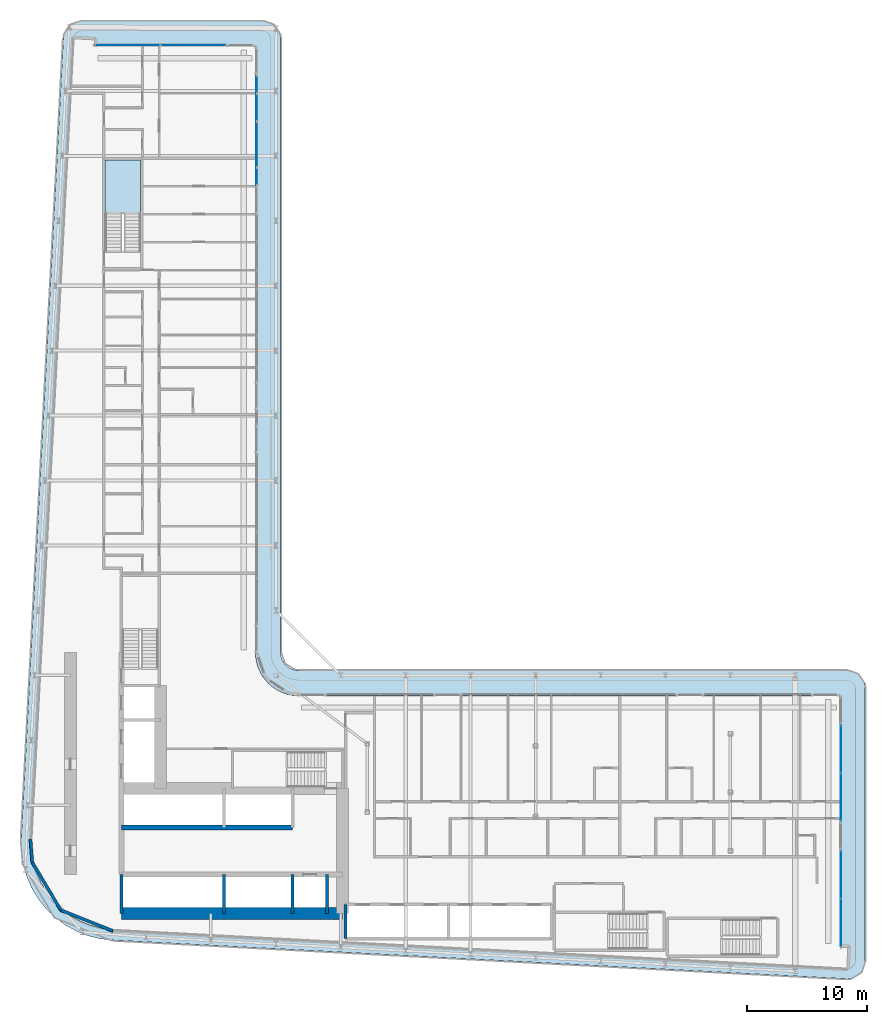
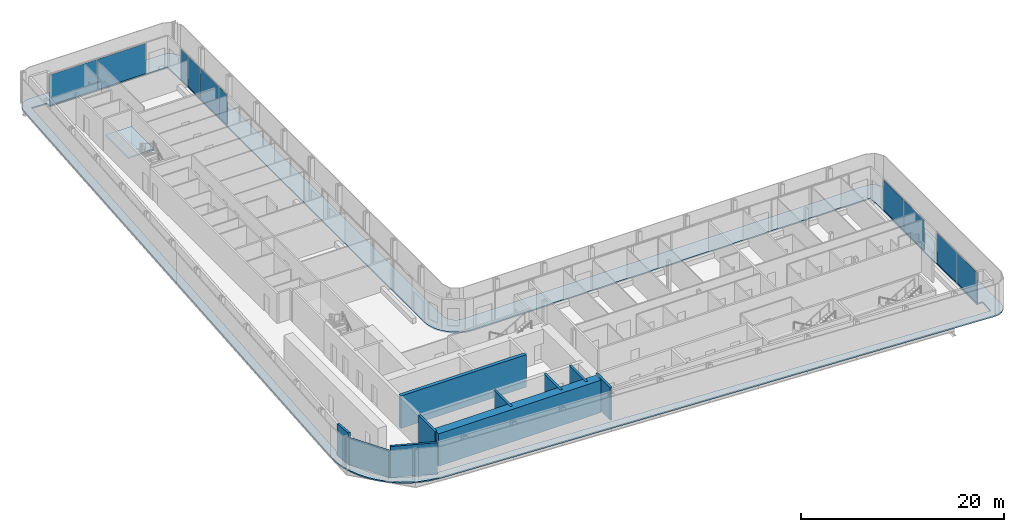
# One storey, part 12 of 27: 10 plates, 10 walls, 2 slabs, 6 elements without a shape of their own.
"""IFC4 building model written with IfcOpenShell, lengths in metres."""

from ifc_helpers import new_model, si_unit, direction, frame, frame_2d, origin, origin_2d, place, context, subcontext, project, spatial, polyline, rectangle, outline, extrude, material, layer, layer_set, type_object, element, aggregate, save


model = new_model("IFC4")

# Units and contexts
model_context = context("Model", 3, precision=1e-05, world=origin(), true_north=direction((0.0, 1.0)))
body_context = subcontext(model_context, "Body", "Model", "MODEL_VIEW")
ifc_project = project(units=[si_unit("LENGTHUNIT", "METRE"), si_unit("AREAUNIT", "SQUARE_METRE"), si_unit("VOLUMEUNIT", "CUBIC_METRE"), si_unit("PLANEANGLEUNIT", "RADIAN"), si_unit("MASSUNIT", "GRAM", prefix="KILO")], contexts=[model_context])

# Site, building, storey
site_placement = place(None, origin())
site = spatial("IfcSite", under=ifc_project, at=site_placement, CompositionType="ELEMENT")
building_placement = place(site_placement, origin())
building = spatial("IfcBuilding", under=site, at=building_placement, Name="Kheshtan School and Residences Tower", CompositionType="ELEMENT")
storey_placement = place(building_placement, frame((0.0, 0.0, 46.10009765625)))
storey = spatial("IfcBuildingStorey", under=building, at=storey_placement, Name="L10", CompositionType="ELEMENT", Elevation=46.10009765625)

# Curtain wall, plates
ifc_material_1 = material(Name="Clear low-e glass in thermally broken aluminium frame", Category="aluminium")
ifc_layer_1 = layer(ifc_material_1, 0.199951171875)
ifc_layer_set_1 = layer_set([ifc_layer_1], Name="Curtain wall CW-L")
curtain_wall_type = type_object("IfcCurtainWallType", Name="Curtain wall CW-L", PredefinedType="NOTDEFINED", material=ifc_layer_set_1)
curtain_wall_1_placement = place(storey_placement, origin())
curtain_wall_1 = element("IfcCurtainWall", 1, at=curtain_wall_1_placement, inside=storey, type_object=curtain_wall_type, Name="Curtain wall CWL7", PredefinedType="NOTDEFINED")
ifc_layer_2 = layer(ifc_material_1, 0.031982421875)
ifc_layer_set_2 = layer_set([ifc_layer_2], Name="CW-L glass panel")
plate_type = type_object("IfcPlateType", Name="CW-L glass panel", PredefinedType="CURTAIN_PANEL", material=ifc_layer_set_2)
plate_1_placement = place(storey_placement, frame((35.259033203125, 98.0, 0.0), z_axis=(0.0, 0.0, 1.0), x_axis=(1.0, 0.0, 0.0)))
plate_1 = element("IfcPlate", 2, at=plate_1_placement, type_object=plate_type, Name="CWL7 panel 1.1", PredefinedType="CURTAIN_PANEL", context=body_context, shape_type="SweptSolid", body=[
    extrude(rectangle(XDim=5.4140625, YDim=0.031982421875, at=origin_2d()), origin(), (0.0, 0.0, 1.0), 3.6298828125),
])
plate_2_placement = place(storey_placement, frame((40.73291015625, 98.0, 0.0), z_axis=(0.0, 0.0, 1.0), x_axis=(1.0, 0.0, 0.0)))
plate_2 = element("IfcPlate", 3, at=plate_2_placement, type_object=plate_type, Name="CWL7 panel 2.1", PredefinedType="CURTAIN_PANEL", context=body_context, shape_type="SweptSolid", body=[
    extrude(rectangle(XDim=5.4140625, YDim=0.031982421875, at=origin_2d()), origin(), (0.0, 0.0, 1.0), 3.6298828125),
])
aggregate(curtain_wall_1, [plate_1, plate_2])

curtain_wall_2_placement = place(storey_placement, origin())
curtain_wall_2 = element("IfcCurtainWall", 4, at=curtain_wall_2_placement, inside=storey, type_object=curtain_wall_type, Name="Curtain wall CWL8c", PredefinedType="NOTDEFINED")
plate_3_placement = place(storey_placement, frame((46.0, 94.735107421875, 0.0), z_axis=(0.0, 0.0, 1.0), x_axis=(0.0, -1.0, 0.0)))
plate_3 = element("IfcPlate", 5, at=plate_3_placement, type_object=plate_type, Name="CWL8c panel 1.1", PredefinedType="CURTAIN_PANEL", context=body_context, shape_type="SweptSolid", body=[
    extrude(rectangle(XDim=1.409912109375, YDim=0.031982421875, at=origin_2d()), origin(), (0.0, 0.0, 1.0), 3.6298828125),
])
plate_4_placement = place(storey_placement, frame((46.0, 92.826416015625, 0.0), z_axis=(0.0, 0.0, 1.0), x_axis=(0.0, -1.0, 0.0)))
plate_4 = element("IfcPlate", 6, at=plate_4_placement, type_object=plate_type, Name="CWL8c panel 2.1", PredefinedType="CURTAIN_PANEL", context=body_context, shape_type="SweptSolid", body=[
    extrude(rectangle(XDim=2.287109375, YDim=0.031982421875, at=origin_2d()), origin(), (0.0, 0.0, 1.0), 3.6298828125),
])
plate_5_placement = place(storey_placement, frame((46.0, 89.744384765625, 0.0), z_axis=(0.0, 0.0, 1.0), x_axis=(0.0, -1.0, 0.0)))
plate_5 = element("IfcPlate", 7, at=plate_5_placement, type_object=plate_type, Name="CWL8c panel 3.1", PredefinedType="CURTAIN_PANEL", context=body_context, shape_type="SweptSolid", body=[
    extrude(rectangle(XDim=3.757080078125, YDim=0.031982421875, at=origin_2d()), origin(), (0.0, 0.0, 1.0), 3.6298828125),
])
aggregate(curtain_wall_2, [plate_3, plate_4, plate_5])

# Curtain wall, plate
curtain_wall_3_placement = place(storey_placement, origin())
curtain_wall_3 = element("IfcCurtainWall", 8, at=curtain_wall_3_placement, inside=storey, type_object=curtain_wall_type, Name="Curtain wall CWL8a", PredefinedType="NOTDEFINED")
plate_6_placement = place(storey_placement, frame((46.0, 87.0859375, 0.0), z_axis=(0.0, 0.0, 1.0), x_axis=(0.0, -1.0, 0.0)))
plate_6 = element("IfcPlate", 9, at=plate_6_placement, type_object=plate_type, Name="CWL8a panel 1.1", PredefinedType="CURTAIN_PANEL", context=body_context, shape_type="SweptSolid", body=[
    extrude(rectangle(XDim=1.43994140625, YDim=0.031982421875, at=origin_2d()), origin(), (0.0, 0.0, 1.0), 3.6298828125),
])
aggregate(curtain_wall_3, [plate_6])

# Curtain wall, plates
curtain_wall_4_placement = place(storey_placement, origin())
curtain_wall_4 = element("IfcCurtainWall", 10, at=curtain_wall_4_placement, inside=storey, type_object=curtain_wall_type, Name="Curtain wall CWL13a", PredefinedType="NOTDEFINED")
plate_7_placement = place(storey_placement, frame((94.60009765625, 39.47216796875, 0.0), z_axis=(0.0, 0.0, 1.0), x_axis=(0.0, -1.0, 0.0)))
plate_7 = element("IfcPlate", 11, at=plate_7_placement, type_object=plate_type, Name="CWL13a panel 1.1", PredefinedType="CURTAIN_PANEL", context=body_context, shape_type="SweptSolid", body=[
    extrude(rectangle(XDim=3.935546875, YDim=0.031982421875, at=origin_2d()), origin(), (0.0, 0.0, 1.0), 3.6298828125),
])
plate_8_placement = place(storey_placement, frame((94.60009765625, 35.476806640625, 0.0), z_axis=(0.0, 0.0, 1.0), x_axis=(0.0, -1.0, 0.0)))
plate_8 = element("IfcPlate", 12, at=plate_8_placement, type_object=plate_type, Name="CWL13a panel 2.1", PredefinedType="CURTAIN_PANEL", context=body_context, shape_type="SweptSolid", body=[
    extrude(rectangle(XDim=3.935546875, YDim=0.031982421875, at=origin_2d()), origin(), (0.0, 0.0, 1.0), 3.6298828125),
])
aggregate(curtain_wall_4, [plate_7, plate_8])

curtain_wall_5_placement = place(storey_placement, origin())
curtain_wall_5 = element("IfcCurtainWall", 13, at=curtain_wall_5_placement, inside=storey, type_object=curtain_wall_type, Name="Curtain wall CWL13a", PredefinedType="NOTDEFINED")
plate_9_placement = place(storey_placement, frame((94.60009765625, 29.021240234375, 0.0), z_axis=(0.0, 0.0, 1.0), x_axis=(0.0, -1.0, 0.0)))
plate_9 = element("IfcPlate", 14, at=plate_9_placement, type_object=plate_type, Name="CWL13a panel 1.1", PredefinedType="CURTAIN_PANEL", context=body_context, shape_type="SweptSolid", body=[
    extrude(rectangle(XDim=3.935546875, YDim=0.031982421875, at=origin_2d()), origin(), (0.0, 0.0, 1.0), 3.6298828125),
])
plate_10_placement = place(storey_placement, frame((94.60009765625, 25.025634765625, 0.0), z_axis=(0.0, 0.0, 1.0), x_axis=(0.0, -1.0, 0.0)))
plate_10 = element("IfcPlate", 15, at=plate_10_placement, type_object=plate_type, Name="CWL13a panel 2.1", PredefinedType="CURTAIN_PANEL", context=body_context, shape_type="SweptSolid", body=[
    extrude(rectangle(XDim=3.935546875, YDim=0.031982421875, at=origin_2d()), origin(), (0.0, 0.0, 1.0), 3.6298828125),
])
aggregate(curtain_wall_5, [plate_9, plate_10])

# Slab
ifc_material_2 = material(Name="Concrete C40/50", Category="concrete")
ifc_layer_3 = layer(ifc_material_2, 0.14990234375)
ifc_layer_set_3 = layer_set([ifc_layer_3], Name="Loggia balcony slab 150 Concrete C40/50")
slab_type_1 = type_object("IfcSlabType", Name="Loggia balcony slab 150 Concrete C40/50", PredefinedType="FLOOR", material=ifc_layer_set_3)
slab_1_placement = place(storey_placement, frame((0.0, 0.0, -0.150146484375)))
element("IfcSlab", 16, at=slab_1_placement, inside=storey, type_object=slab_type_1, Name="Loggia balcony slab L10", PredefinedType="FLOOR", context=body_context, shape_type="SweptSolid", body=[
    extrude(outline(polyline([(28.4580078125, 26.222900390625), (28.45703125, 26.222900390625), (28.45703125, 26.22412109375), (28.4560546875, 26.22412109375), (27.81494140625, 27.0390625), (27.281005859375, 27.93798828125), (26.867919921875, 28.89990234375), (26.583984375, 29.89990234375), (26.583984375, 29.906982421875), (26.43408203125, 30.943115234375), (26.419921875, 31.989013671875), (29.925048828125, 98.5791015625), (29.930908203125, 98.626953125), (29.930908203125, 98.6279296875), (29.929931640625, 98.6279296875), (29.929931640625, 98.62890625), (29.928955078125, 98.62890625), (29.928955078125, 98.6298828125), (29.927978515625, 98.6298828125), (29.927978515625, 98.631103515625), (29.927001953125, 98.631103515625), (29.927001953125, 98.632080078125), (29.927001953125, 98.633056640625), (29.945068359375, 98.781005859375), (29.945068359375, 98.783935546875), (29.945068359375, 98.784912109375), (29.946044921875, 98.784912109375), (29.946044921875, 98.785888671875), (29.947021484375, 98.785888671875), (29.947021484375, 98.787109375), (29.947998046875, 98.787109375), (29.948974609375, 98.787109375), (29.948974609375, 98.7880859375), (29.949951171875, 98.7880859375), (29.949951171875, 98.7890625), (29.949951171875, 98.791015625), (30.0029296875, 98.98388671875), (30.083984375, 99.175048828125), (30.18896484375, 99.35302734375), (30.31103515625, 99.507080078125), (30.31201171875, 99.507080078125), (30.31201171875, 99.508056640625), (30.31298828125, 99.508056640625), (30.31298828125, 99.509033203125), (30.31396484375, 99.509033203125), (30.31396484375, 99.510009765625), (30.31494140625, 99.510009765625), (30.31494140625, 99.510986328125), (30.31591796875, 99.510986328125), (30.31591796875, 99.511962890625), (30.31689453125, 99.511962890625), (30.31689453125, 99.512939453125), (30.318115234375, 99.512939453125), (30.320068359375, 99.512939453125), (30.321044921875, 99.512939453125), (30.321044921875, 99.513916015625), (30.468017578125, 99.656982421875), (30.468994140625, 99.656982421875), (30.468994140625, 99.657958984375), (30.469970703125, 99.657958984375), (30.469970703125, 99.658935546875), (30.470947265625, 99.658935546875), (30.470947265625, 99.659912109375), (30.471923828125, 99.659912109375), (30.471923828125, 99.660888671875), (30.472900390625, 99.660888671875), (30.472900390625, 99.662109375), (30.47412109375, 99.662109375), (30.47412109375, 99.6630859375), (30.47509765625, 99.6630859375), (30.47509765625, 99.6640625), (30.635986328125, 99.777099609375), (30.820068359375, 99.873046875), (31.007080078125, 99.943115234375), (31.013916015625, 99.943115234375), (31.217041015625, 99.986083984375), (31.423095703125, 100.0), (46.5, 100.0), (46.696044921875, 99.987060546875), (46.887939453125, 99.948974609375), (46.89501953125, 99.948974609375), (47.073974609375, 99.885986328125), (47.242919921875, 99.801025390625), (47.243896484375, 99.801025390625), (47.2470703125, 99.801025390625), (47.248046875, 99.801025390625), (47.248046875, 99.802001953125), (47.2490234375, 99.802001953125), (47.2490234375, 99.802978515625), (47.25, 99.802978515625), (47.2529296875, 99.802978515625), (47.25390625, 99.802978515625), (47.25390625, 99.802001953125), (47.2548828125, 99.802001953125), (47.2548828125, 99.801025390625), (47.256103515625, 99.801025390625), (47.256103515625, 99.800048828125), (47.257080078125, 99.800048828125), (47.257080078125, 99.799072265625), (47.258056640625, 99.799072265625), (47.258056640625, 99.798095703125), (47.412109375, 99.696044921875), (47.4130859375, 99.696044921875), (47.4130859375, 99.695068359375), (47.4140625, 99.695068359375), (47.4140625, 99.694091796875), (47.4140625, 99.68994140625), (47.4140625, 99.68896484375), (47.4150390625, 99.68896484375), (47.4150390625, 99.68798828125), (47.416015625, 99.68798828125), (47.416015625, 99.68701171875), (47.4169921875, 99.68701171875), (47.4169921875, 99.68603515625), (47.554931640625, 99.568115234375), (47.554931640625, 99.56689453125), (47.555908203125, 99.56689453125), (47.555908203125, 99.56591796875), (47.556884765625, 99.56591796875), (47.556884765625, 99.56494140625), (47.55810546875, 99.56494140625), (47.55810546875, 99.56396484375), (47.55908203125, 99.56396484375), (47.55908203125, 99.56298828125), (47.56005859375, 99.56298828125), (47.56005859375, 99.56201171875), (47.56103515625, 99.56201171875), (47.56201171875, 99.56103515625), (47.56201171875, 99.56005859375), (47.56298828125, 99.56005859375), (47.56298828125, 99.55908203125), (47.56396484375, 99.55908203125), (47.56396484375, 99.55810546875), (47.56494140625, 99.55810546875), (47.56494140625, 99.556884765625), (47.56591796875, 99.556884765625), (47.56591796875, 99.555908203125), (47.56689453125, 99.555908203125), (47.56689453125, 99.554931640625), (47.568115234375, 99.554931640625), (47.68505859375, 99.41796875), (47.68603515625, 99.41796875), (47.68603515625, 99.4169921875), (47.68701171875, 99.4169921875), (47.68701171875, 99.416015625), (47.68798828125, 99.416015625), (47.68798828125, 99.4150390625), (47.68896484375, 99.4150390625), (47.68896484375, 99.4140625), (47.68994140625, 99.4140625), (47.694091796875, 99.4140625), (47.695068359375, 99.4140625), (47.695068359375, 99.4130859375), (47.696044921875, 99.4130859375), (47.696044921875, 99.412109375), (47.797119140625, 99.259033203125), (47.798095703125, 99.259033203125), (47.798095703125, 99.258056640625), (47.799072265625, 99.258056640625), (47.799072265625, 99.257080078125), (47.800048828125, 99.257080078125), (47.800048828125, 99.256103515625), (47.801025390625, 99.256103515625), (47.801025390625, 99.2548828125), (47.802001953125, 99.2548828125), (47.802001953125, 99.25390625), (47.802978515625, 99.25390625), (47.802978515625, 99.2529296875), (47.802978515625, 99.25), (47.802978515625, 99.2490234375), (47.802001953125, 99.2490234375), (47.802001953125, 99.248046875), (47.801025390625, 99.248046875), (47.801025390625, 99.2470703125), (47.801025390625, 99.243896484375), (47.801025390625, 99.242919921875), (47.885986328125, 99.073974609375), (47.948974609375, 98.89501953125), (47.948974609375, 98.887939453125), (47.987060546875, 98.696044921875), (48.0, 98.5), (48.0, 47.5), (48.012939453125, 47.303955078125), (48.051025390625, 47.113037109375), (48.051025390625, 47.10693359375), (48.051025390625, 47.10595703125), (48.114013671875, 46.926025390625), (48.200927734375, 46.75), (48.31005859375, 46.5869140625), (48.431884765625, 46.444091796875), (48.43310546875, 46.444091796875), (48.43310546875, 46.443115234375), (48.43408203125, 46.443115234375), (48.43408203125, 46.44189453125), (48.43505859375, 46.44189453125), (48.43505859375, 46.44091796875), (48.43603515625, 46.44091796875), (48.43603515625, 46.43994140625), (48.43701171875, 46.43994140625), (48.43701171875, 46.43896484375), (48.43798828125, 46.43896484375), (48.43896484375, 46.43798828125), (48.43896484375, 46.43701171875), (48.43994140625, 46.43701171875), (48.43994140625, 46.43603515625), (48.44091796875, 46.43603515625), (48.44091796875, 46.43505859375), (48.44189453125, 46.43505859375), (48.44189453125, 46.43408203125), (48.443115234375, 46.43408203125), (48.443115234375, 46.43310546875), (48.444091796875, 46.43310546875), (48.444091796875, 46.431884765625), (48.5869140625, 46.31005859375), (48.75, 46.200927734375), (48.926025390625, 46.114013671875), (49.10595703125, 46.051025390625), (49.10693359375, 46.051025390625), (49.113037109375, 46.051025390625), (49.303955078125, 46.012939453125), (49.5, 46.0), (95.10009765625, 46.0), (95.2958984375, 45.987060546875), (95.488037109375, 45.948974609375), (95.4951171875, 45.948974609375), (95.674072265625, 45.885986328125), (95.842041015625, 45.801025390625), (95.843017578125, 45.801025390625), (95.846923828125, 45.801025390625), (95.847900390625, 45.801025390625), (95.847900390625, 45.802001953125), (95.84912109375, 45.802001953125), (95.84912109375, 45.802978515625), (95.85009765625, 45.802978515625), (95.85302734375, 45.802978515625), (95.85400390625, 45.802978515625), (95.85400390625, 45.802001953125), (95.85498046875, 45.802001953125), (95.85498046875, 45.801025390625), (95.85595703125, 45.801025390625), (95.85595703125, 45.800048828125), (95.85693359375, 45.800048828125), (95.85693359375, 45.799072265625), (95.85791015625, 45.799072265625), (95.85791015625, 45.798095703125), (95.85888671875, 45.798095703125), (95.85888671875, 45.797119140625), (95.860107421875, 45.797119140625), (95.860107421875, 45.7958984375), (96.011962890625, 45.696044921875), (96.012939453125, 45.696044921875), (96.012939453125, 45.695068359375), (96.013916015625, 45.695068359375), (96.013916015625, 45.694091796875), (96.013916015625, 45.68994140625), (96.013916015625, 45.68896484375), (96.014892578125, 45.68896484375), (96.014892578125, 45.68798828125), (96.01611328125, 45.68798828125), (96.01611328125, 45.68701171875), (96.01708984375, 45.68701171875), (96.01708984375, 45.68603515625), (96.01806640625, 45.68603515625), (96.01806640625, 45.68505859375), (96.01904296875, 45.68505859375), (96.01904296875, 45.68408203125), (96.155029296875, 45.568115234375), (96.155029296875, 45.56689453125), (96.156005859375, 45.56689453125), (96.156005859375, 45.56591796875), (96.156982421875, 45.56591796875), (96.156982421875, 45.56494140625), (96.157958984375, 45.56494140625), (96.157958984375, 45.56396484375), (96.158935546875, 45.56396484375), (96.158935546875, 45.56298828125), (96.159912109375, 45.56298828125), (96.159912109375, 45.56201171875), (96.160888671875, 45.56201171875), (96.162109375, 45.56103515625), (96.162109375, 45.56005859375), (96.1630859375, 45.56005859375), (96.1630859375, 45.55908203125), (96.1640625, 45.55908203125), (96.1640625, 45.55810546875), (96.1650390625, 45.55810546875), (96.1650390625, 45.556884765625), (96.166015625, 45.556884765625), (96.166015625, 45.555908203125), (96.1669921875, 45.555908203125), (96.1669921875, 45.554931640625), (96.16796875, 45.554931640625), (96.281982421875, 45.4208984375), (96.282958984375, 45.4208984375), (96.282958984375, 45.419921875), (96.283935546875, 45.419921875), (96.283935546875, 45.4189453125), (96.284912109375, 45.4189453125), (96.284912109375, 45.41796875), (96.285888671875, 45.41796875), (96.285888671875, 45.4169921875), (96.287109375, 45.4169921875), (96.287109375, 45.416015625), (96.2880859375, 45.416015625), (96.2880859375, 45.4150390625), (96.2890625, 45.4150390625), (96.2890625, 45.4140625), (96.2900390625, 45.4140625), (96.2939453125, 45.4140625), (96.294921875, 45.4140625), (96.294921875, 45.4130859375), (96.2958984375, 45.4130859375), (96.2958984375, 45.412109375), (96.39404296875, 45.261962890625), (96.39501953125, 45.261962890625), (96.39501953125, 45.260986328125), (96.39599609375, 45.260986328125), (96.39599609375, 45.260009765625), (96.39697265625, 45.260009765625), (96.39697265625, 45.259033203125), (96.39794921875, 45.259033203125), (96.39794921875, 45.258056640625), (96.39892578125, 45.258056640625), (96.39892578125, 45.257080078125), (96.39990234375, 45.257080078125), (96.39990234375, 45.256103515625), (96.40087890625, 45.256103515625), (96.40087890625, 45.2548828125), (96.402099609375, 45.2548828125), (96.402099609375, 45.25390625), (96.403076171875, 45.25390625), (96.403076171875, 45.2529296875), (96.403076171875, 45.25), (96.403076171875, 45.2490234375), (96.402099609375, 45.2490234375), (96.402099609375, 45.248046875), (96.40087890625, 45.248046875), (96.40087890625, 45.2470703125), (96.40087890625, 45.240966796875), (96.40087890625, 45.239990234375), (96.486083984375, 45.073974609375), (96.549072265625, 44.89501953125), (96.549072265625, 44.887939453125), (96.5869140625, 44.696044921875), (96.60009765625, 44.5), (96.60009765625, 21.864990234375), (96.5859375, 21.6630859375), (96.544921875, 21.464111328125), (96.544921875, 21.45703125), (96.47802734375, 21.27294921875), (96.385986328125, 21.093017578125), (96.27099609375, 20.927001953125), (96.27099609375, 20.926025390625), (96.27099609375, 20.925048828125), (96.27099609375, 20.924072265625), (96.27197265625, 20.924072265625), (96.27197265625, 20.923095703125), (96.27197265625, 20.9208984375), (96.27197265625, 20.919921875), (96.27099609375, 20.919921875), (96.27099609375, 20.9189453125), (96.137939453125, 20.77587890625), (96.135009765625, 20.77294921875), (96.134033203125, 20.77294921875), (96.134033203125, 20.77197265625), (96.133056640625, 20.77197265625), (96.131103515625, 20.77197265625), (96.1298828125, 20.77197265625), (96.1298828125, 20.77294921875), (96.12890625, 20.77294921875), (96.1279296875, 20.77294921875), (96.126953125, 20.77294921875), (95.97607421875, 20.64794921875), (95.803955078125, 20.541015625), (95.618896484375, 20.4580078125), (95.430908203125, 20.40087890625), (95.424072265625, 20.40087890625), (95.22412109375, 20.3701171875), (95.02099609375, 20.366943359375), (33.989013671875, 23.580078125), (33.94189453125, 23.5859375), (33.94091796875, 23.5859375), (33.93994140625, 23.5859375), (33.93994140625, 23.5849609375), (33.93896484375, 23.5849609375), (33.93896484375, 23.583984375), (33.93798828125, 23.583984375), (33.93798828125, 23.5830078125), (33.93701171875, 23.5830078125), (33.93701171875, 23.58203125), (33.93603515625, 23.58203125), (33.93505859375, 23.58203125), (32.952880859375, 23.697998046875), (32.949951171875, 23.697998046875), (32.948974609375, 23.697998046875), (32.948974609375, 23.698974609375), (32.947998046875, 23.698974609375), (32.947998046875, 23.699951171875), (32.947021484375, 23.699951171875), (32.947021484375, 23.700927734375), (32.947021484375, 23.702880859375), (32.947021484375, 23.7041015625), (32.946044921875, 23.7041015625), (32.946044921875, 23.705078125), (32.945068359375, 23.705078125), (32.944091796875, 23.705078125), (31.93603515625, 23.9609375), (31.928955078125, 23.9609375), (30.964111328125, 24.34912109375), (30.051025390625, 24.860107421875), (29.218994140625, 25.47900390625), (29.218994140625, 25.47998046875), (29.218017578125, 25.47998046875), (29.218017578125, 25.48095703125), (29.217041015625, 25.48095703125), (29.217041015625, 25.48193359375), (29.216064453125, 25.48193359375), (29.216064453125, 25.48291015625), (29.215087890625, 25.48291015625), (29.215087890625, 25.48388671875), (29.214111328125, 25.48388671875), (29.214111328125, 25.485107421875), (29.212890625, 25.485107421875), (29.212890625, 25.486083984375), (29.2119140625, 25.486083984375), (28.466064453125, 26.217041015625), (28.466064453125, 26.218017578125), (28.465087890625, 26.218017578125), (28.462890625, 26.218017578125), (28.4619140625, 26.218017578125), (28.4619140625, 26.218994140625), (28.4609375, 26.218994140625), (28.4609375, 26.219970703125), (28.4599609375, 26.219970703125), (28.4599609375, 26.220947265625), (28.458984375, 26.220947265625), (28.458984375, 26.221923828125), (28.4580078125, 26.221923828125), (28.4580078125, 26.222900390625)]), holes=[polyline([(29.12890625, 26.824951171875), (29.12890625, 26.823974609375), (29.1298828125, 26.823974609375), (29.1298828125, 26.822998046875), (29.131103515625, 26.822998046875), (29.131103515625, 26.822021484375), (29.132080078125, 26.822021484375), (29.132080078125, 26.821044921875), (29.133056640625, 26.821044921875), (29.133056640625, 26.820068359375), (29.134033203125, 26.820068359375), (29.794921875, 26.173095703125), (29.794921875, 26.172119140625), (29.7958984375, 26.172119140625), (29.798095703125, 26.172119140625), (29.799072265625, 26.172119140625), (29.799072265625, 26.1708984375), (29.800048828125, 26.1708984375), (29.800048828125, 26.169921875), (29.801025390625, 26.169921875), (29.801025390625, 26.1689453125), (29.802001953125, 26.1689453125), (29.802001953125, 26.16796875), (29.802978515625, 26.16796875), (29.802978515625, 26.1669921875), (29.803955078125, 26.1669921875), (29.803955078125, 26.166015625), (30.541015625, 25.616943359375), (31.35205078125, 25.1630859375), (32.208984375, 24.819091796875), (32.2099609375, 24.819091796875), (32.216064453125, 24.819091796875), (33.114990234375, 24.590087890625), (34.06591796875, 24.47705078125), (95.0380859375, 21.26708984375), (95.06494140625, 21.26806640625), (95.06591796875, 21.26806640625), (95.06689453125, 21.26806640625), (95.06689453125, 21.26904296875), (95.068115234375, 21.26904296875), (95.068115234375, 21.27001953125), (95.068115234375, 21.27099609375), (95.157958984375, 22.9599609375), (95.157958984375, 22.9609375), (95.157958984375, 22.9619140625), (95.156982421875, 22.9619140625), (95.156982421875, 22.962890625), (95.156005859375, 22.962890625), (95.155029296875, 22.962890625), (94.5009765625, 22.998046875), (94.5, 22.998046875), (94.5, 22.9990234375), (94.5, 43.89794921875), (94.5, 43.89892578125), (94.4990234375, 43.89892578125), (94.4990234375, 43.89990234375), (94.498046875, 43.89990234375), (49.429931640625, 43.89990234375), (49.030029296875, 43.927001953125), (48.569091796875, 44.01806640625), (48.56201171875, 44.01806640625), (48.1201171875, 44.169921875), (47.697021484375, 44.37890625), (47.30810546875, 44.638916015625), (46.95703125, 44.944091796875), (46.95703125, 44.945068359375), (46.9560546875, 44.945068359375), (46.9560546875, 44.946044921875), (46.955078125, 44.946044921875), (46.955078125, 44.947021484375), (46.9541015625, 44.947021484375), (46.9541015625, 44.947998046875), (46.952880859375, 44.947998046875), (46.952880859375, 44.948974609375), (46.951904296875, 44.948974609375), (46.951904296875, 44.949951171875), (46.951904296875, 44.950927734375), (46.950927734375, 44.950927734375), (46.950927734375, 44.951904296875), (46.949951171875, 44.951904296875), (46.948974609375, 44.951904296875), (46.948974609375, 44.952880859375), (46.947998046875, 44.952880859375), (46.947998046875, 44.9541015625), (46.947021484375, 44.9541015625), (46.947021484375, 44.955078125), (46.946044921875, 44.955078125), (46.946044921875, 44.9560546875), (46.945068359375, 44.9560546875), (46.945068359375, 44.95703125), (46.944091796875, 44.95703125), (46.638916015625, 45.30810546875), (46.37890625, 45.697021484375), (46.169921875, 46.1201171875), (46.01806640625, 46.56201171875), (46.01806640625, 46.569091796875), (45.927001953125, 47.030029296875), (45.89990234375, 47.429931640625), (45.89990234375, 97.89794921875), (45.89990234375, 97.89892578125), (45.89892578125, 97.89892578125), (45.89892578125, 97.89990234375), (45.89794921875, 97.89990234375), (32.492919921875, 97.89990234375), (32.491943359375, 97.89990234375), (32.52099609375, 98.43896484375), (32.52099609375, 98.43994140625), (32.52099609375, 98.44091796875), (32.52001953125, 98.44091796875), (32.52001953125, 98.44189453125), (32.51904296875, 98.44189453125), (32.51806640625, 98.44189453125), (30.8291015625, 98.531982421875), (30.827880859375, 98.531982421875), (30.826904296875, 98.531982421875), (30.826904296875, 98.531005859375), (30.825927734375, 98.531005859375), (30.825927734375, 98.530029296875), (30.825927734375, 98.529052734375), (30.822021484375, 98.5009765625), (27.320068359375, 31.970947265625), (27.3330078125, 31.013916015625), (27.466064453125, 30.093994140625), (27.466064453125, 30.087890625), (27.466064453125, 30.0869140625), (27.718017578125, 29.200927734375), (28.0849609375, 28.345947265625), (28.55908203125, 27.550048828125), (29.126953125, 26.825927734375), (29.1279296875, 26.825927734375), (29.1279296875, 26.824951171875), (29.12890625, 26.824951171875)])]), origin(), (0.0, 0.0, 1.0), 0.150146484375),
])

# Stair, slab
stair_type = type_object("IfcStairType", Name="Exit stair, half-turn", PredefinedType="HALF_TURN_STAIR", material=ifc_material_2)
stair_placement = place(storey_placement, origin())
stair = element("IfcStair", 17, at=stair_placement, inside=storey, type_object=stair_type, Name="L10 Protected Exit Stair ST3", PredefinedType="HALF_TURN_STAIR")
ifc_layer_4 = layer(ifc_material_2, 0.199951171875)
ifc_layer_set_4 = layer_set([ifc_layer_4], Name="Stair landing 200 Concrete C40/50")
slab_type_2 = type_object("IfcSlabType", Name="Stair landing 200 Concrete C40/50", PredefinedType="LANDING", material=ifc_layer_set_4)
slab_2_placement = place(storey_placement, frame((0.0, 0.0, 1.75)))
slab_2 = element("IfcSlab", 18, at=slab_2_placement, type_object=slab_type_2, Name="ST3 landing 1", PredefinedType="LANDING", context=body_context, shape_type="SweptSolid", body=[
    extrude(outline(polyline([(36.35009765625, 83.97998046875), (36.35009765625, 88.4599609375), (33.39990234375, 88.4599609375), (33.39990234375, 83.97998046875), (36.35009765625, 83.97998046875)])), origin(), (0.0, 0.0, 1.0), 0.199951171875),
])
aggregate(stair, [slab_2])

# Walls
ifc_material_3 = material(Name="Concrete C80/95", Category="concrete")
ifc_layer_5 = layer(ifc_material_3, 1.0)
ifc_layer_set_5 = layer_set([ifc_layer_5], Name="Core wall 1000 Concrete C80/95")
wall_type_1 = type_object("IfcWallType", Name="Core wall 1000 Concrete C80/95", PredefinedType="SHEAR", material=ifc_layer_set_5)
wall_1_placement = place(storey_placement, frame((34.75, 25.800048828125, 0.0), z_axis=(0.0, 0.0, 1.0), x_axis=(1.0, 0.0, 0.0)))
element("IfcWall", 19, at=wall_1_placement, inside=storey, type_object=wall_type_1, Name="Core wall CW-REAR-S", PredefinedType="SHEAR", context=body_context, shape_type="SweptSolid", body=[
    extrude(rectangle(XDim=18.39990234375, YDim=1.0, at=frame_2d((9.199951171875, 0.0))), origin(), (0.0, 0.0, 1.0), 3.89990234375),
])
ifc_material_4 = material(Name="Concrete C50/60", Category="concrete")
ifc_layer_6 = layer(ifc_material_4, 0.39990234375)
ifc_layer_set_6 = layer_set([ifc_layer_6], Name="Core wall 400 Concrete C50/60")
wall_type_2 = type_object("IfcWallType", Name="Core wall 400 Concrete C50/60", PredefinedType="SHEAR", material=ifc_layer_set_6)
wall_2_placement = place(storey_placement, frame((34.75, 32.949951171875, 0.0), z_axis=(0.0, 0.0, 1.0), x_axis=(1.0, 0.0, 0.0)))
element("IfcWall", 20, at=wall_2_placement, inside=storey, type_object=wall_type_2, Name="Core wall CW-HALL-S2", PredefinedType="SHEAR", context=body_context, shape_type="SweptSolid", body=[
    extrude(rectangle(XDim=14.25, YDim=0.39990234375, at=frame_2d((7.125, 0.0))), origin(), (0.0, 0.0, 1.0), 3.89990234375),
])
ifc_material_5 = material(Name="Concrete C40/50 with ceramic cladding and mineral wool insulation", Category="concrete")
ifc_layer_7 = layer(ifc_material_5, 0.25)
ifc_layer_set_7 = layer_set([ifc_layer_7], Name="External wall 250 ceramic clad")
wall_type_3 = type_object("IfcWallType", Name="External wall 250 ceramic clad", PredefinedType="SOLIDWALL", material=ifc_layer_set_7)
wall_3_placement = place(storey_placement, frame((34.0390625, 24.35302734375, 0.0), z_axis=(0.0, 0.0, 1.0), x_axis=(-0.929352825399, 0.369192803184, 0.0)))
element("IfcWall", 21, at=wall_3_placement, inside=storey, type_object=wall_type_3, Name="External wall L10 1", PredefinedType="SOLIDWALL", context=body_context, shape_type="SweptSolid", body=[
    extrude(rectangle(XDim=4.656005859375, YDim=0.25, at=frame_2d((2.328125, 0.0))), origin(), (0.0, 0.0, 1.0), 3.75),
])
wall_4_placement = place(storey_placement, frame((29.7119140625, 26.072021484375, 0.0), z_axis=(0.0, 0.0, 1.0), x_axis=(-0.511028049012, 0.859564036662, 0.0)))
element("IfcWall", 22, at=wall_4_placement, inside=storey, type_object=wall_type_3, Name="External wall L10 2", PredefinedType="SOLIDWALL", context=body_context, shape_type="SweptSolid", body=[
    extrude(rectangle(XDim=4.633544921875, YDim=0.25, at=frame_2d((2.31689453125, 0.0))), origin(), (0.0, 0.0, 1.0), 3.1328125),
])
wall_5_placement = place(storey_placement, frame((27.343994140625, 30.054931640625, 0.0), z_axis=(0.0, 0.0, 1.0), x_axis=(-0.077571675317, 0.99698677784, 0.0)))
element("IfcWall", 23, at=wall_5_placement, inside=storey, type_object=wall_type_3, Name="External wall L10 3", PredefinedType="SOLIDWALL", context=body_context, shape_type="SweptSolid", body=[
    extrude(rectangle(XDim=1.919921875, YDim=0.25, at=frame_2d((0.9599609375, 0.0))), origin(), (0.0, 0.0, 1.0), 3.75),
])
ifc_material_6 = material(Name="Fire-board shaft wall system")
ifc_layer_8 = layer(ifc_material_6, 0.25)
ifc_layer_set_8 = layer_set([ifc_layer_8], Name="Shaft lining wall 250")
wall_type_4 = type_object("IfcWallType", Name="Shaft lining wall 250", PredefinedType="PARTITIONING", material=ifc_layer_set_8)
for number, where, z_axis, x_axis, name in (
    (24, (34.75, 25.800048828125, 0.0), (0.0, 0.0, 1.0), (0.0, 1.0, 0.0), "Shaft lining wall"),
    (25, (43.300048828125, 25.800048828125, 0.0), (0.0, 0.0, 1.0), (0.0, 1.0, 0.0), "Shaft lining wall"),
    (26, (49.0, 25.800048828125, 0.0), (0.0, 0.0, 1.0), (0.0, 1.0, 0.0), "Shaft lining wall"),
    (27, (51.85009765625, 25.800048828125, 0.0), (0.0, 0.0, 1.0), (0.0, 1.0, 0.0), "Shaft lining wall"),
):
    element("IfcWall", number, at=place(storey_placement, frame(where, z_axis=z_axis, x_axis=x_axis)), inside=storey, type_object=wall_type_4, Name=name, PredefinedType="PARTITIONING", context=body_context, shape_type="SweptSolid", body=[
        extrude(rectangle(XDim=3.25, YDim=0.25, at=frame_2d((1.625, 0.0))), origin(), (0.0, 0.0, 1.0), 3.89990234375),
    ])
wall_6_placement = place(storey_placement, frame((53.39990234375, 23.699951171875, 0.0), z_axis=(0.0, 0.0, 1.0), x_axis=(0.0, 1.0, 0.0)))
element("IfcWall", 28, at=wall_6_placement, inside=storey, type_object=wall_type_4, Name="Shaft lining wall", PredefinedType="PARTITIONING", context=body_context, shape_type="SweptSolid", body=[
    extrude(rectangle(XDim=2.85009765625, YDim=0.25, at=frame_2d((1.425048828125, 0.0))), origin(), (0.0, 0.0, 1.0), 3.89990234375),
])

save(model, "model.ifc")
